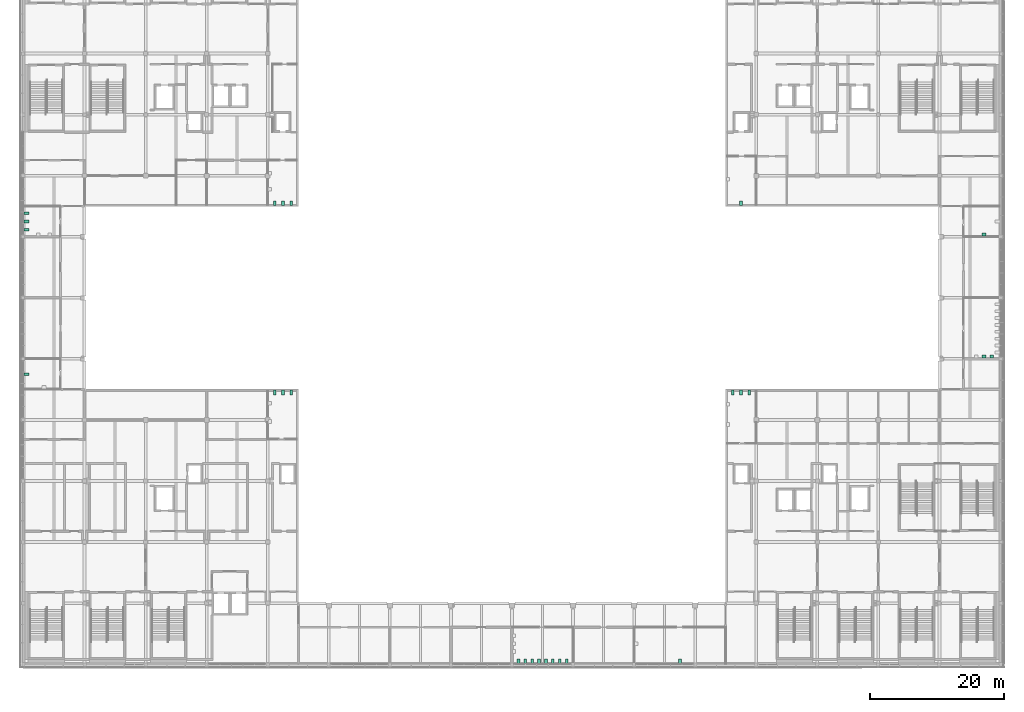
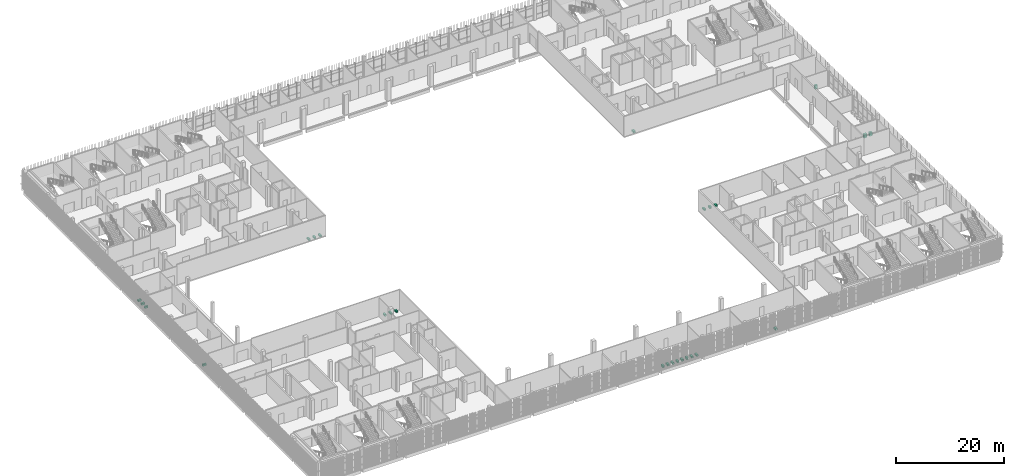
# One storey, part 123 of 124: 26 sanitary terminals.
"""IFC4 building model written with IfcOpenShell, lengths in metres."""

from ifc_helpers import new_model, si_unit, direction, frame, origin, origin_2d, place, context, subcontext, project, spatial, rectangle, extrude, element, save


model = new_model("IFC4")

# Units and contexts
model_context = context("Model", 3, precision=1e-05, world=origin(), true_north=direction((0.0, 1.0)))
body_context = subcontext(model_context, "Body", "Model", "MODEL_VIEW")
ifc_project = project(units=[si_unit("LENGTHUNIT", "METRE"), si_unit("AREAUNIT", "SQUARE_METRE"), si_unit("VOLUMEUNIT", "CUBIC_METRE"), si_unit("PLANEANGLEUNIT", "RADIAN"), si_unit("MASSUNIT", "GRAM", prefix="KILO")], contexts=[model_context])

# Site, building, storey
site_placement = place(None, origin())
site = spatial("IfcSite", under=ifc_project, at=site_placement, CompositionType="ELEMENT")
building_placement = place(site_placement, origin())
building = spatial("IfcBuilding", under=site, at=building_placement, Name="Shirokan Park Arena", CompositionType="ELEMENT")
storey_placement = place(building_placement, frame((0.0, 0.0, 20.02001953125)))
storey = spatial("IfcBuildingStorey", under=building, at=storey_placement, Name="L04", CompositionType="ELEMENT", Elevation=20.02001953125)

# Sanitary terminals
for number, where, z_axis, x_axis, name in (
    (1, (37.458251953125, 40.5, 0.0), (0.0, 0.0, 1.0), (1.0, 0.0, 0.0), "Water closet Staff WC 4.13"),
    (2, (38.675048828125, 40.5, 0.0), (0.0, 0.0, 1.0), (1.0, 0.0, 0.0), "Water closet Staff WC 4.13"),
    (3, (39.8916015625, 40.5, 0.0), (0.0, 0.0, 1.0), (1.0, 0.0, 0.0), "Water closet Staff WC 4.13"),
    (4, (105.708251953125, 40.5, 0.0), (0.0, 0.0, 1.0), (1.0, 0.0, 0.0), "Water closet Staff WC 4.26"),
    (5, (106.925048828125, 40.5, 0.0), (0.0, 0.0, 1.0), (1.0, 0.0, 0.0), "Water closet Staff WC 4.26"),
    (6, (108.1416015625, 40.5, 0.0), (0.0, 0.0, 1.0), (1.0, 0.0, 0.0), "Water closet Staff WC 4.26"),
    (7, (106.925048828125, 68.699951171875, 0.0), (0.0, 0.0, 1.0), (1.0, 0.0, 0.0), "Water closet Accessible WC 4.33"),
    (8, (37.458251953125, 68.699951171875, 0.0), (0.0, 0.0, 1.0), (1.0, 0.0, 0.0), "Water closet Women's WC 4.44"),
    (9, (38.675048828125, 68.699951171875, 0.0), (0.0, 0.0, 1.0), (1.0, 0.0, 0.0), "Water closet Women's WC 4.44"),
    (10, (39.8916015625, 68.699951171875, 0.0), (0.0, 0.0, 1.0), (1.0, 0.0, 0.0), "Water closet Women's WC 4.44"),
):
    element("IfcSanitaryTerminal", number, at=place(storey_placement, frame(where, z_axis=z_axis, x_axis=x_axis)), inside=storey, Name=name, PredefinedType="TOILETPAN", context=body_context, shape_type="SweptSolid", body=[
        extrude(rectangle(XDim=0.39990234375, YDim=0.699951171875, at=origin_2d()), origin(), (0.0, 0.0, 1.0), 0.39990234375),
    ])
for number, where, z_axis, x_axis, name in (
    (11, (143.14990234375, 45.824951171875, 0.0), (0.0, 0.0, 1.0), (1.0, 0.0, 0.0), "Washbasin Staff WC 4.22"),
    (12, (144.316650390625, 45.824951171875, 0.0), (0.0, 0.0, 1.0), (1.0, 0.0, 0.0), "Washbasin Staff WC 4.22"),
    (13, (143.14990234375, 64.02490234375, 0.0), (0.0, 0.0, 1.0), (1.0, 0.0, 0.0), "Washbasin Accessible WC 4.24"),
):
    element("IfcSanitaryTerminal", number, at=place(storey_placement, frame(where, z_axis=z_axis, x_axis=x_axis)), inside=storey, Name=name, PredefinedType="WASHHANDBASIN", context=body_context, shape_type="SweptSolid", body=[
        extrude(rectangle(XDim=0.550048828125, YDim=0.449951171875, at=origin_2d()), origin(), (0.0, 0.0, 1.0), 0.85009765625),
    ])
for number, where, z_axis, x_axis, name in (
    (14, (73.762451171875, 0.449951171875, 0.0), (0.0, 0.0, 1.0), (1.0, 0.0, 0.0), "Water closet Staff WC 4.14"),
    (15, (74.78759765625, 0.449951171875, 0.0), (0.0, 0.0, 1.0), (1.0, 0.0, 0.0), "Water closet Staff WC 4.14"),
    (16, (75.8125, 0.449951171875, 0.0), (0.0, 0.0, 1.0), (1.0, 0.0, 0.0), "Water closet Staff WC 4.14"),
    (17, (76.83740234375, 0.449951171875, 0.0), (0.0, 0.0, 1.0), (1.0, 0.0, 0.0), "Water closet Staff WC 4.14"),
    (18, (77.862548828125, 0.449951171875, 0.0), (0.0, 0.0, 1.0), (1.0, 0.0, 0.0), "Water closet Staff WC 4.14"),
    (19, (78.887451171875, 0.449951171875, 0.0), (0.0, 0.0, 1.0), (1.0, 0.0, 0.0), "Water closet Staff WC 4.14"),
    (20, (79.91259765625, 0.449951171875, 0.0), (0.0, 0.0, 1.0), (1.0, 0.0, 0.0), "Water closet Staff WC 4.14"),
    (21, (80.9375, 0.449951171875, 0.0), (0.0, 0.0, 1.0), (1.0, 0.0, 0.0), "Water closet Staff WC 4.14"),
    (22, (97.824951171875, 0.449951171875, 0.0), (0.0, 0.0, 1.0), (1.0, 0.0, 0.0), "Water closet Accessible WC 4.16"),
):
    element("IfcSanitaryTerminal", number, at=place(storey_placement, frame(where, z_axis=z_axis, x_axis=x_axis)), inside=storey, Name=name, PredefinedType="TOILETPAN", context=body_context, shape_type="SweptSolid", body=[
        extrude(rectangle(XDim=0.39990234375, YDim=0.699951171875, at=origin_2d()), origin(), (0.0, 0.0, 1.0), 0.39990234375),
    ])
for number, where, z_axis, x_axis, name in (
    (23, (0.449951171875, 43.22509765625, 0.0), (0.0, 0.0, 1.0), (1.0, 0.0, 0.0), "Water closet Accessible WC 4.41"),
    (24, (0.449951171875, 64.75830078125, 0.0), (0.0, 0.0, 1.0), (1.0, 0.0, 0.0), "Water closet Staff WC 4.44"),
    (25, (0.449951171875, 65.97509765625, 0.0), (0.0, 0.0, 1.0), (1.0, 0.0, 0.0), "Water closet Staff WC 4.44"),
    (26, (0.449951171875, 67.191650390625, 0.0), (0.0, 0.0, 1.0), (1.0, 0.0, 0.0), "Water closet Staff WC 4.44"),
):
    element("IfcSanitaryTerminal", number, at=place(storey_placement, frame(where, z_axis=z_axis, x_axis=x_axis)), inside=storey, Name=name, PredefinedType="TOILETPAN", context=body_context, shape_type="SweptSolid", body=[
        extrude(rectangle(XDim=0.699951171875, YDim=0.39990234375, at=origin_2d()), origin(), (0.0, 0.0, 1.0), 0.39990234375),
    ])

save(model, "model.ifc")
